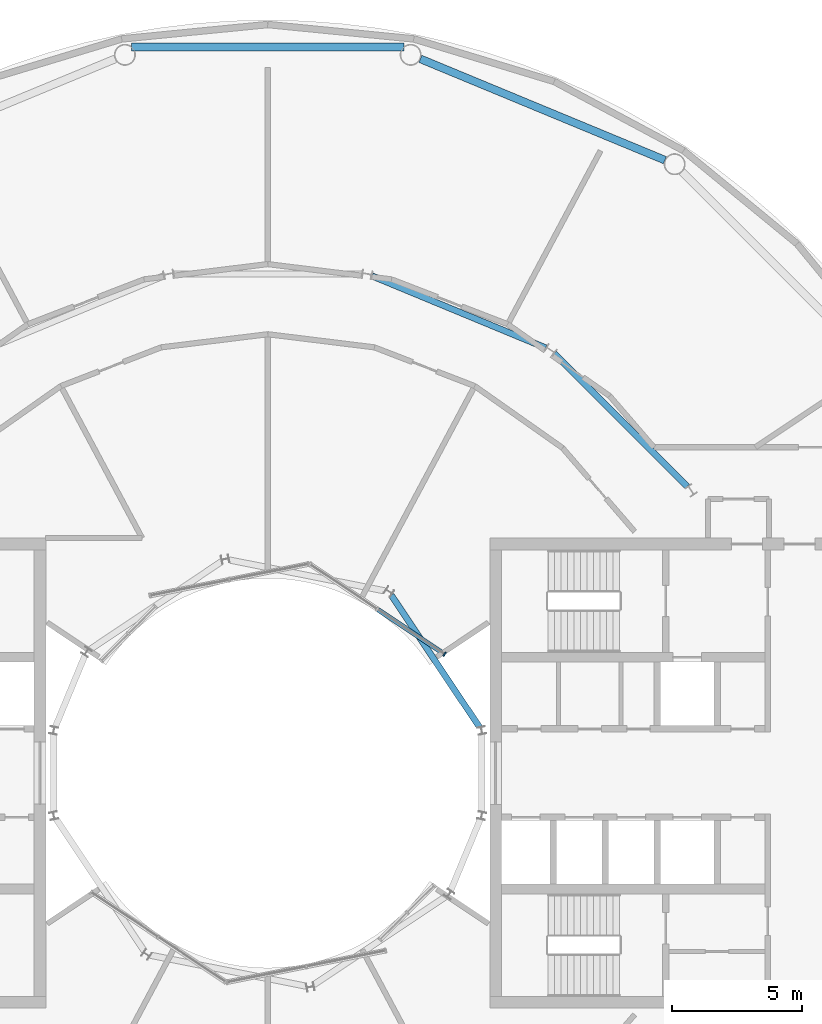
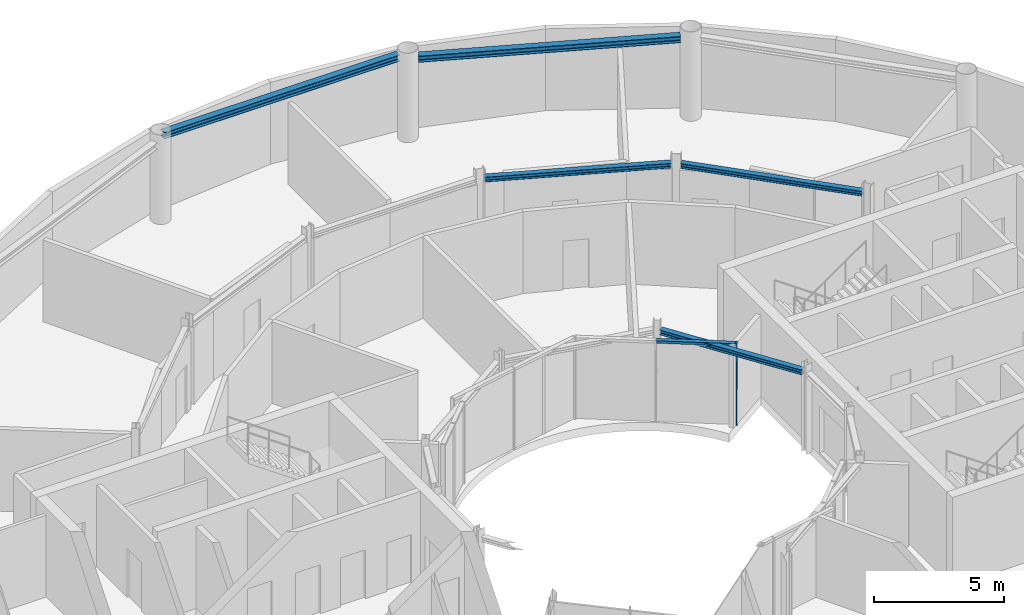
# One storey, part 10 of 19: 5 beams, 2 members, 1 element without a shape of its own.
"""IFC4 building model written with IfcOpenShell, lengths in metres."""

from ifc_helpers import new_model, si_unit, direction, frame, origin, origin_2d, place, context, subcontext, project, spatial, rectangle, i_section, extrude, material, layer, layer_set, material_profile, profile_set, type_object, element, aggregate, save


model = new_model("IFC4")

# Units and contexts
model_context = context("Model", 3, precision=1e-05, world=origin(), true_north=direction((0.0, 1.0)))
body_context = subcontext(model_context, "Body", "Model", "MODEL_VIEW")
ifc_project = project(units=[si_unit("LENGTHUNIT", "METRE"), si_unit("AREAUNIT", "SQUARE_METRE"), si_unit("VOLUMEUNIT", "CUBIC_METRE"), si_unit("PLANEANGLEUNIT", "RADIAN"), si_unit("MASSUNIT", "GRAM", prefix="KILO")], contexts=[model_context])

# Site, building, storey
site_placement = place(None, origin())
site = spatial("IfcSite", under=ifc_project, at=site_placement, CompositionType="ELEMENT")
building_placement = place(site_placement, origin())
building = spatial("IfcBuilding", under=site, at=building_placement, Name="Maasbend Ring Residences", CompositionType="ELEMENT")
storey_placement = place(building_placement, frame((0.0, 0.0, 186.0)))
storey = spatial("IfcBuildingStorey", under=building, at=storey_placement, Name="L53", CompositionType="ELEMENT", Elevation=186.0)

# Curtain wall, members
ifc_material_1 = material(Name="Aluminium and clear glass", Category="aluminium")
ifc_layer = layer(ifc_material_1, 0.179931640625)
ifc_layer_set = layer_set([ifc_layer], Name="CW-W")
curtain_wall_type = type_object("IfcCurtainWallType", Name="CW-W", PredefinedType="NOTDEFINED", material=ifc_layer_set)
curtain_wall_placement = place(storey_placement, origin())
curtain_wall = element("IfcCurtainWall", 1, at=curtain_wall_placement, inside=storey, type_object=curtain_wall_type, Name="Well curtain wall N1", PredefinedType="NOTDEFINED")
ifc_material_2 = material(Name="Aluminium 6063-T6", Category="aluminium")
ifc_material_profile_1 = material_profile(ifc_material_2, rectangle(XDim=0.179931640625, YDim=0.06005859375, at=origin_2d()), Name="AL 180x60")
ifc_profile_set_1 = profile_set([ifc_material_profile_1], Name="Aluminium 6063-T6")
member_type_1 = type_object("IfcMemberType", Name="CWM-W", PredefinedType="MULLION", material=ifc_profile_set_1)
member_1_placement = place(storey_placement, frame((6.805908203125, 4.580810546875, 0.0), z_axis=(0.0, 0.0, 1.0), x_axis=(-0.55557023302, -0.831469612303, 0.0)))
member_1 = element("IfcMember", 2, at=member_1_placement, type_object=member_type_1, Name="Mullion well face", PredefinedType="MULLION", context=body_context, shape_type="SweptSolid", body=[
    extrude(rectangle(XDim=0.179931640625, YDim=0.06005859375, at=origin_2d()), origin(), (0.0, 0.0, 1.0), 3.85009765625),
])
ifc_material_3 = material(Name="Aluminium 6063-T6", Category="aluminium")
ifc_material_profile_2 = material_profile(ifc_material_3, rectangle(XDim=0.179931640625, YDim=0.1201171875, at=origin_2d()), Name="AL 180x120")
ifc_profile_set_2 = profile_set([ifc_material_profile_2], Name="Aluminium 6063-T6")
member_type_2 = type_object("IfcMemberType", Name="CWT-W", PredefinedType="USERDEFINED", material=ifc_profile_set_2)
member_2_placement = place(storey_placement, frame((6.781005859375, 4.59765625, 3.7900390625), z_axis=(-0.831496422459, 0.555530106689, 0.0), x_axis=(-0.555530106689, -0.831496422459, 0.0)))
member_2 = element("IfcMember", 3, at=member_2_placement, type_object=member_type_2, Name="Transom well face", ObjectType="TRANSOM", PredefinedType="USERDEFINED", context=body_context, shape_type="SweptSolid", body=[
    extrude(rectangle(XDim=0.179931640625, YDim=0.1201171875, at=origin_2d()), origin(), (0.0, 0.0, 1.0), 3.053955078125),
])
aggregate(curtain_wall, [member_1, member_2])

# Beams
ifc_material_4 = material(Name="Steel S355J2", Category="steel")
ifc_material_profile_3 = material_profile(ifc_material_4, i_section(OverallWidth=0.239990234375, OverallDepth=0.22998046875, WebThickness=0.007568359375, FlangeThickness=0.011962890625, FilletRadius=0.02099609375, at=origin_2d()), Name="HEA 240")
ifc_profile_set_3 = profile_set([ifc_material_profile_3], Name="Steel S355J2")
beam_type_1 = type_object("IfcBeamType", Name="Corridor ring beam HEA 240", PredefinedType="BEAM", material=ifc_profile_set_3)
beam_1_placement = place(storey_placement, frame((16.152587890625, 11.033447265625, 3.735107421875), z_axis=(-0.707106781187, 0.707106781187, 0.0), x_axis=(-0.707106781187, -0.707106781187, 0.0)))
element("IfcBeam", 4, at=beam_1_placement, inside=storey, type_object=beam_type_1, Name="Corridor ring beam", PredefinedType="BEAM", context=body_context, shape_type="SweptSolid", body=[
    extrude(i_section(OverallWidth=0.239990234375, OverallDepth=0.22998046875, WebThickness=0.007568359375, FlangeThickness=0.011962890625, FilletRadius=0.02099609375, at=origin_2d()), origin(), (0.0, 0.0, 1.0), 7.239501953125),
])
beam_2_placement = place(storey_placement, frame((10.70068359375, 16.374755859375, 3.735107421875), z_axis=(-0.923865162022, 0.382718123952, 0.0), x_axis=(-0.382718123952, -0.923865162022, 0.0)))
element("IfcBeam", 5, at=beam_2_placement, inside=storey, type_object=beam_type_1, Name="Corridor ring beam", PredefinedType="BEAM", context=body_context, shape_type="SweptSolid", body=[
    extrude(i_section(OverallWidth=0.239990234375, OverallDepth=0.22998046875, WebThickness=0.007568359375, FlangeThickness=0.011962890625, FilletRadius=0.02099609375, at=origin_2d()), origin(), (0.0, 0.0, 1.0), 7.23974609375),
])
ifc_material_5 = material(Name="Steel S355J2", Category="steel")
ifc_material_profile_4 = material_profile(ifc_material_5, i_section(OverallWidth=0.300048828125, OverallDepth=0.300048828125, WebThickness=0.010986328125, FlangeThickness=0.01904296875, FilletRadius=0.027099609375, at=origin_2d()), Name="HEB 300")
ifc_profile_set_4 = profile_set([ifc_material_profile_4], Name="Steel S355J2")
beam_type_2 = type_object("IfcBeamType", Name="Spandrel ring beam HEB 300", PredefinedType="SPANDREL", material=ifc_profile_set_4)
beam_3_placement = place(storey_placement, frame((15.29150390625, 23.60302734375, 3.699951171875), z_axis=(-0.923883676188, 0.382673428492, 0.0), x_axis=(-0.382673428492, -0.923883676188, 0.0)))
element("IfcBeam", 6, at=beam_3_placement, inside=storey, type_object=beam_type_2, Name="Spandrel ring beam", PredefinedType="SPANDREL", context=body_context, shape_type="SweptSolid", body=[
    extrude(i_section(OverallWidth=0.300048828125, OverallDepth=0.300048828125, WebThickness=0.010986328125, FlangeThickness=0.01904296875, FilletRadius=0.027099609375, at=origin_2d()), origin(), (0.0, 0.0, 1.0), 10.18994140625),
])
beam_4_placement = place(storey_placement, frame((5.2451171875, 27.9580078125, 3.699951171875), z_axis=(-1.0, 0.0, 0.0), x_axis=(0.0, -1.0, 0.0)))
element("IfcBeam", 7, at=beam_4_placement, inside=storey, type_object=beam_type_2, Name="Spandrel ring beam", PredefinedType="SPANDREL", context=body_context, shape_type="SweptSolid", body=[
    extrude(i_section(OverallWidth=0.300048828125, OverallDepth=0.300048828125, WebThickness=0.010986328125, FlangeThickness=0.01904296875, FilletRadius=0.027099609375, at=origin_2d()), origin(), (0.0, 0.0, 1.0), 10.490234375),
])
ifc_material_6 = material(Name="Steel S355J2", Category="steel")
ifc_material_profile_5 = material_profile(ifc_material_6, i_section(OverallWidth=0.239990234375, OverallDepth=0.22998046875, WebThickness=0.007568359375, FlangeThickness=0.011962890625, FilletRadius=0.02099609375, at=origin_2d()), Name="HEA 240")
ifc_profile_set_5 = profile_set([ifc_material_profile_5], Name="Steel S355J2")
beam_type_3 = type_object("IfcBeamType", Name="Well edge beam HEA 240", PredefinedType="BEAM", material=ifc_profile_set_5)
beam_5_placement = place(storey_placement, frame((8.1513671875, 1.769287109375, 3.735107421875), z_axis=(-0.555584356119, 0.831460175376, 0.0), x_axis=(-0.831460175376, -0.555584356119, 0.0)))
element("IfcBeam", 8, at=beam_5_placement, inside=storey, type_object=beam_type_3, Name="Well edge beam", PredefinedType="BEAM", context=body_context, shape_type="SweptSolid", body=[
    extrude(i_section(OverallWidth=0.239990234375, OverallDepth=0.22998046875, WebThickness=0.007568359375, FlangeThickness=0.011962890625, FilletRadius=0.02099609375, at=origin_2d()), origin(), (0.0, 0.0, 1.0), 6.115234375),
])

save(model, "model.ifc")
